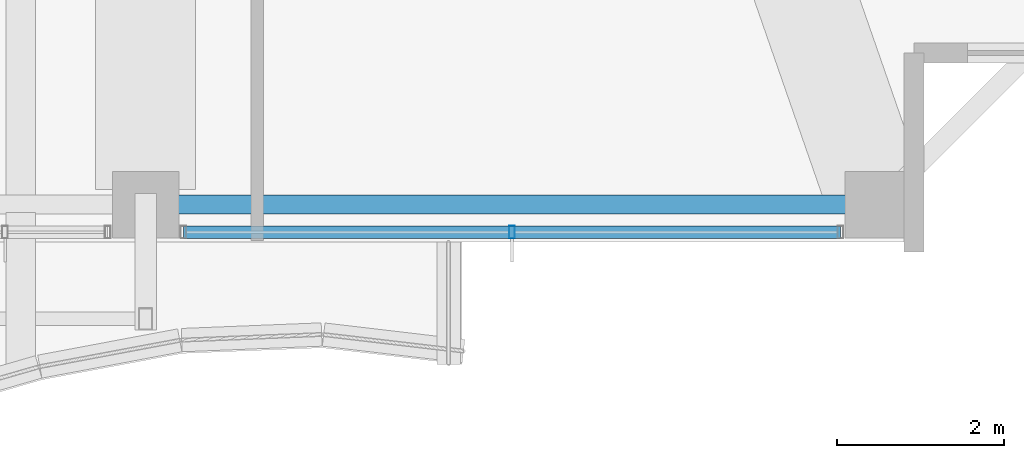
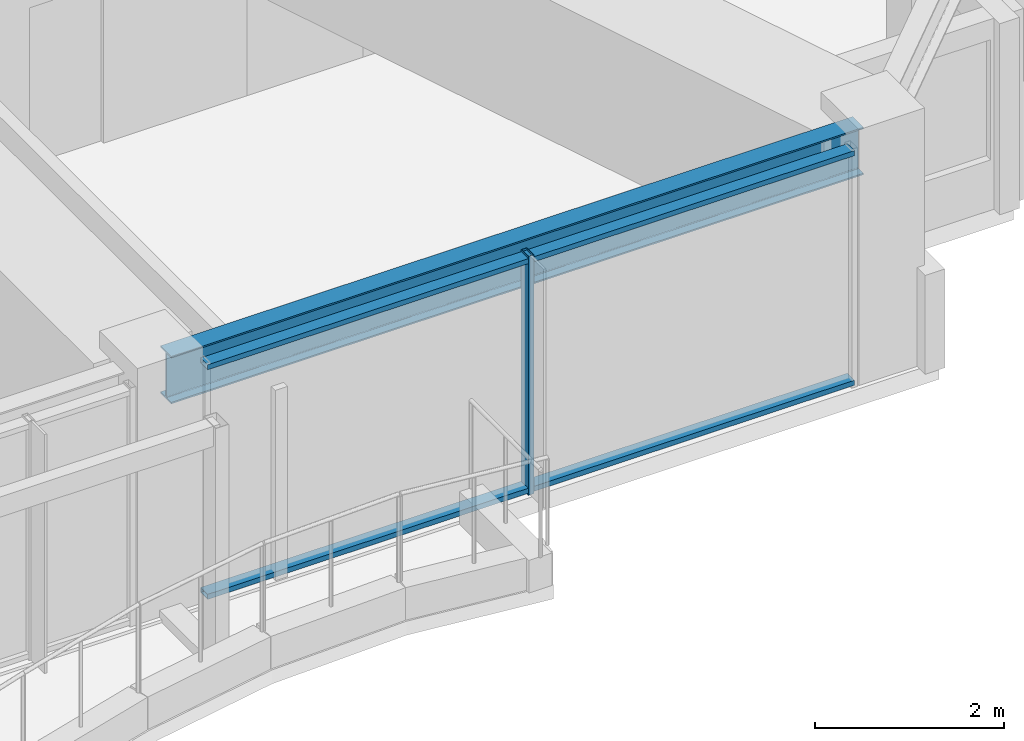
# One storey, part 6 of 37: 3 members, 1 beam, 1 element without a shape of its own.
"""IFC4 building model written with IfcOpenShell, lengths in metres."""

from ifc_helpers import new_model, si_unit, direction, frame, origin, origin_2d, place, context, subcontext, project, spatial, hollow_rectangle, i_section, extrude, material, material_profile, profile_set, type_object, element, aggregate, save


model = new_model("IFC4")

# Units and contexts
model_context = context("Model", 3, precision=1e-05, world=origin(), true_north=direction((0.0, 1.0)))
body_context = subcontext(model_context, "Body", "Model", "MODEL_VIEW")
ifc_project = project(units=[si_unit("LENGTHUNIT", "METRE"), si_unit("AREAUNIT", "SQUARE_METRE"), si_unit("VOLUMEUNIT", "CUBIC_METRE"), si_unit("PLANEANGLEUNIT", "RADIAN"), si_unit("MASSUNIT", "GRAM", prefix="KILO")], contexts=[model_context])

# Site, building, storey
site_placement = place(None, origin())
site = spatial("IfcSite", under=ifc_project, at=site_placement, CompositionType="ELEMENT")
building_placement = place(site_placement, origin())
building = spatial("IfcBuilding", under=site, at=building_placement, Name="Kolvaren Belvedere", CompositionType="ELEMENT")
storey_placement = place(building_placement, frame((0.0, 0.0, 219.60009765625)))
storey = spatial("IfcBuildingStorey", under=building, at=storey_placement, Name="L64", CompositionType="ELEMENT", Elevation=219.60009765625)

# Beam
ifc_material_1 = material(Name="Structural steel ASTM A992 Grade 50", Category="steel")
ifc_material_profile_1 = material_profile(ifc_material_1, i_section(OverallWidth=0.22900390625, OverallDepth=0.612060546875, WebThickness=0.011962890625, FlangeThickness=0.01953125, FilletRadius=0.01806640625, at=origin_2d()), Name="W24X84")
ifc_profile_set_1 = profile_set([ifc_material_profile_1], Name="Structural steel ASTM A992 Grade 50")
beam_type = type_object("IfcBeamType", Name="BM-SPAN-W24X84", PredefinedType="SPANDREL", material=ifc_profile_set_1)
beam_placement = place(storey_placement, frame((4.780029296875, -19.949951171875, 2.77392578125), z_axis=(1.0, 0.0, 0.0), x_axis=(0.0, 1.0, 0.0)))
element("IfcBeam", 1, at=beam_placement, inside=storey, type_object=beam_type, Name="L64 Perimeter Spandrel S3-S4", PredefinedType="SPANDREL", context=body_context, shape_type="SweptSolid", body=[
    extrude(i_section(OverallWidth=0.22900390625, OverallDepth=0.612060546875, WebThickness=0.011962890625, FlangeThickness=0.01953125, FilletRadius=0.01806640625, at=origin_2d()), origin(), (0.0, 0.0, 1.0), 8.43994140625),
])

# Curtain wall, members
ifc_material_2 = material(Name="Anodised pale-metal aluminium AA 6063-T6", Category="aluminium")
curtain_wall_type = type_object("IfcCurtainWallType", Name="CW-Z5-HIGH", PredefinedType="NOTDEFINED", material=ifc_material_2)
curtain_wall_placement = place(storey_placement, origin())
curtain_wall = element("IfcCurtainWall", 2, at=curtain_wall_placement, inside=storey, type_object=curtain_wall_type, Name="L64 Unitised Curtain Wall FCW-L64-S1-B1", PredefinedType="NOTDEFINED")
ifc_material_3 = material(Name="Anodised pale-metal aluminium AA 6063-T6", Category="aluminium")
ifc_material_profile_2 = material_profile(ifc_material_3, hollow_rectangle(XDim=0.070068359375, YDim=0.14990234375, WallThickness=0.004150390625, at=origin_2d()), Name="ALU-MUL-150X70")
ifc_profile_set_2 = profile_set([ifc_material_profile_2], Name="Anodised pale-metal aluminium AA 6063-T6")
member_type_1 = type_object("IfcMemberType", Name="CW-MUL-150", PredefinedType="MULLION", material=ifc_profile_set_2)
member_1_placement = place(storey_placement, frame((9.0, -20.280029296875, 0.0), z_axis=(0.0, 0.0, 1.0), x_axis=(1.0, 0.0, 0.0)))
member_1 = element("IfcMember", 3, at=member_1_placement, type_object=member_type_1, Name="FCW-L64-S1-B1 Unitised Mullion 2", PredefinedType="MULLION", context=body_context, shape_type="SweptSolid", body=[
    extrude(hollow_rectangle(XDim=0.070068359375, YDim=0.14990234375, WallThickness=0.004150390625, at=origin_2d()), origin(), (0.0, 0.0, 1.0), 3.079833984375),
])
ifc_material_4 = material(Name="Anodised pale-metal aluminium AA 6063-T6", Category="aluminium")
ifc_material_profile_3 = material_profile(ifc_material_4, hollow_rectangle(XDim=0.06494140625, YDim=0.14990234375, WallThickness=0.00390625, at=origin_2d()), Name="ALU-TRN-150X65")
ifc_profile_set_3 = profile_set([ifc_material_profile_3], Name="Anodised pale-metal aluminium AA 6063-T6")
member_type_2 = type_object("IfcMemberType", Name="CW-TRN-150", PredefinedType="USERDEFINED", material=ifc_profile_set_3)
member_2_placement = place(storey_placement, frame((12.945068359375, -20.280029296875, 0.059814453125), z_axis=(-1.0, 0.0, 0.0), x_axis=(0.0, 0.0, 1.0)))
member_2 = element("IfcMember", 4, at=member_2_placement, type_object=member_type_2, Name="FCW-L64-S1-B1 Sill Transom", ObjectType="TRANSOM", PredefinedType="USERDEFINED", context=body_context, shape_type="SweptSolid", body=[
    extrude(hollow_rectangle(XDim=0.06494140625, YDim=0.14990234375, WallThickness=0.00390625, at=origin_2d()), origin(), (0.0, 0.0, 1.0), 7.89013671875),
])
member_3_placement = place(storey_placement, frame((12.945068359375, -20.280029296875, 3.02001953125), z_axis=(-1.0, 0.0, 0.0), x_axis=(0.0, 0.0, 1.0)))
member_3 = element("IfcMember", 5, at=member_3_placement, type_object=member_type_2, Name="FCW-L64-S1-B1 Head Transom", ObjectType="TRANSOM", PredefinedType="USERDEFINED", context=body_context, shape_type="SweptSolid", body=[
    extrude(hollow_rectangle(XDim=0.06494140625, YDim=0.14990234375, WallThickness=0.00390625, at=origin_2d()), origin(), (0.0, 0.0, 1.0), 7.89013671875),
])
aggregate(curtain_wall, [member_1, member_2, member_3])

save(model, "model.ifc")
